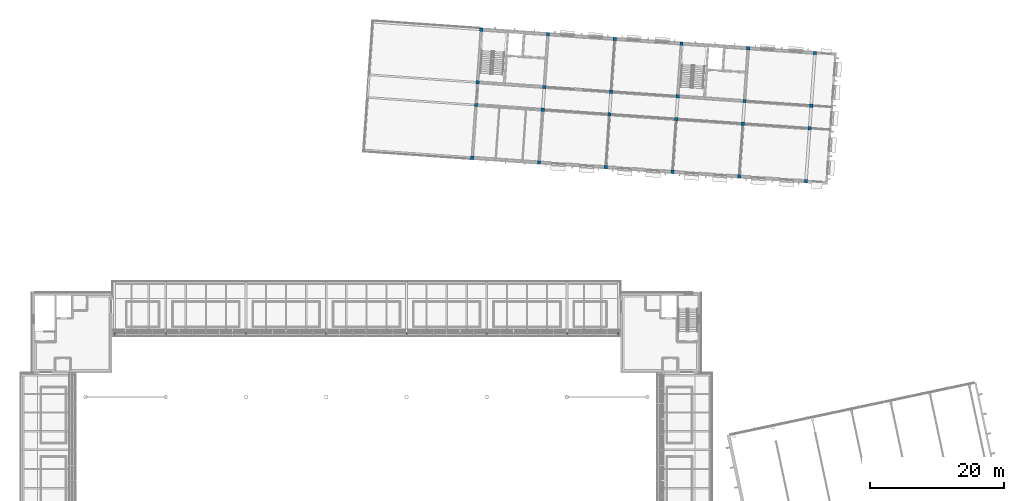
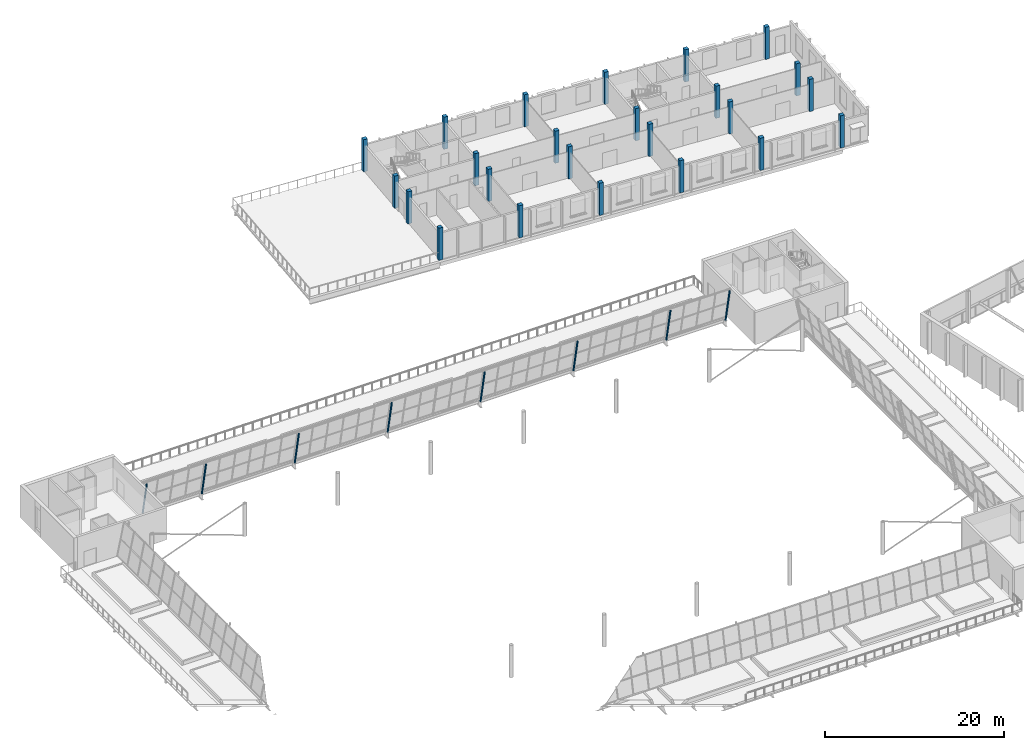
# One storey, part 8 of 58: 32 columns.
"""IFC4 building model written with IfcOpenShell, lengths in metres."""

from ifc_helpers import new_model, si_unit, direction, frame, origin, origin_2d, place, context, subcontext, project, spatial, rectangle, hollow_circle, extrude, material, material_profile, profile_set, type_object, element, save


model = new_model("IFC4")

# Units and contexts
model_context = context("Model", 3, precision=1e-05, world=origin(), true_north=direction((0.0, 1.0)))
body_context = subcontext(model_context, "Body", "Model", "MODEL_VIEW")
ifc_project = project(units=[si_unit("LENGTHUNIT", "METRE"), si_unit("AREAUNIT", "SQUARE_METRE"), si_unit("VOLUMEUNIT", "CUBIC_METRE"), si_unit("PLANEANGLEUNIT", "RADIAN"), si_unit("MASSUNIT", "GRAM", prefix="KILO")], contexts=[model_context])

# Site, building, storey
site_placement = place(None, origin())
site = spatial("IfcSite", under=ifc_project, at=site_placement, CompositionType="ELEMENT")
building_placement = place(site_placement, origin())
building = spatial("IfcBuilding", under=site, at=building_placement, Name="Windward Yard Aquatics Centre", CompositionType="ELEMENT")
storey_placement = place(building_placement, frame((0.0, 0.0, 13.800048828125)))
storey = spatial("IfcBuildingStorey", under=building, at=storey_placement, Name="L03", CompositionType="ELEMENT", Elevation=13.800048828125)

# Columns
ifc_material_1 = material(Name="Steel ASTM A500 Gr C", Category="steel")
ifc_material_profile_1 = material_profile(ifc_material_1, hollow_circle(Radius=0.109619140625, WallThickness=0.0126953125, at=origin_2d()), Name="HSS219.1X12.7")
ifc_profile_set_1 = profile_set([ifc_material_profile_1], Name="Steel ASTM A500 Gr C")
column_type_1 = type_object("IfcColumnType", Name="H tier 2 leg HSS219.1X12.7", PredefinedType="COLUMN", material=ifc_profile_set_1)
for number, where, z_axis, x_axis, name in (
    (1, (64.35009765625, 90.016357421875, -0.128173828125), (0.0, -0.199346128659, 0.9799291408), (1.0, 0.0, 0.0), "H.TL.N1.T2A.L03"),
    (2, (72.0, 90.016357421875, -0.128173828125), (0.0, -0.199346128659, 0.9799291408), (1.0, 0.0, 0.0), "H.TL.N2.T2A.L03"),
    (3, (84.0, 90.016357421875, -0.128173828125), (0.0, -0.199346128659, 0.9799291408), (1.0, 0.0, 0.0), "H.TL.N3.T2A.L03"),
    (4, (96.0, 90.016357421875, -0.128173828125), (0.0, -0.199346128659, 0.9799291408), (1.0, 0.0, 0.0), "H.TL.N4.T2A.L03"),
    (5, (108.0, 90.016357421875, -0.128173828125), (0.0, -0.199346128659, 0.9799291408), (1.0, 0.0, 0.0), "H.TL.N5.T2A.L03"),
    (6, (120.0, 90.016357421875, -0.128173828125), (0.0, -0.199346128659, 0.9799291408), (1.0, 0.0, 0.0), "H.TL.N6.T2A.L03"),
    (7, (132.0, 90.016357421875, -0.128173828125), (0.0, -0.199346128659, 0.9799291408), (1.0, 0.0, 0.0), "H.TL.N7.T2A.L03"),
    (8, (139.64990234375, 90.016357421875, -0.128173828125), (0.0, -0.199346128659, 0.9799291408), (1.0, 0.0, 0.0), "H.TL.N8.T2A.L03"),
):
    element("IfcColumn", number, at=place(storey_placement, frame(where, z_axis=z_axis, x_axis=x_axis)), inside=storey, type_object=column_type_1, Name=name, PredefinedType="COLUMN", context=body_context, shape_type="SweptSolid", body=[
        extrude(hollow_circle(Radius=0.109619140625, WallThickness=0.0126953125, at=origin_2d()), origin(), (0.0, 0.0, 1.0), 4.620849609375),
    ])
ifc_material_2 = material(Name="Concrete C50/60", Category="concrete")
ifc_material_profile_2 = material_profile(ifc_material_2, rectangle(XDim=0.5, YDim=0.5, at=origin_2d()), Name="RC 500x500")
ifc_profile_set_2 = profile_set([ifc_material_profile_2], Name="Concrete C50/60")
column_type_2 = type_object("IfcColumnType", Name="W RC 500x500 column Concrete C50/60", PredefinedType="COLUMN", material=ifc_profile_set_2)
for number, where, z_axis, x_axis, name in (
    (9, (117.8388671875, 116.16748046875, 0.0), (0.0, 0.0, 1.0), (0.99756405026, -0.069756473744, 0.0), "W.COL.L03.2A"),
    (10, (118.389892578125, 124.04833984375, 0.0), (0.0, 0.0, 1.0), (0.99756405026, -0.069756473744, 0.0), "W.COL.L03.2B"),
    (11, (118.627197265625, 127.43994140625, 0.0), (0.0, 0.0, 1.0), (0.99756405026, -0.069756473744, 0.0), "W.COL.L03.2C"),
    (12, (119.17822265625, 135.32080078125, 0.0), (0.0, 0.0, 1.0), (0.99756405026, -0.069756473744, 0.0), "W.COL.L03.2D"),
    (13, (127.814453125, 115.469970703125, 0.0), (0.0, 0.0, 1.0), (0.99756405026, -0.069756473744, 0.0), "W.COL.L03.3A"),
    (14, (128.365478515625, 123.3505859375, 0.0), (0.0, 0.0, 1.0), (0.99756405026, -0.069756473744, 0.0), "W.COL.L03.3B"),
    (15, (128.602783203125, 126.742431640625, 0.0), (0.0, 0.0, 1.0), (0.99756405026, -0.069756473744, 0.0), "W.COL.L03.3C"),
    (16, (129.15380859375, 134.623291015625, 0.0), (0.0, 0.0, 1.0), (0.99756405026, -0.069756473744, 0.0), "W.COL.L03.3D"),
    (17, (137.7900390625, 114.7724609375, 0.0), (0.0, 0.0, 1.0), (0.99756405026, -0.069756473744, 0.0), "W.COL.L03.4A"),
    (18, (138.34130859375, 122.6533203125, 0.0), (0.0, 0.0, 1.0), (0.99756405026, -0.069756473744, 0.0), "W.COL.L03.4B"),
    (19, (138.578369140625, 126.044921875, 0.0), (0.0, 0.0, 1.0), (0.99756405026, -0.069756473744, 0.0), "W.COL.L03.4C"),
    (20, (139.12939453125, 133.925537109375, 0.0), (0.0, 0.0, 1.0), (0.99756405026, -0.069756473744, 0.0), "W.COL.L03.4D"),
    (21, (147.765869140625, 114.07470703125, 0.0), (0.0, 0.0, 1.0), (0.99756405026, -0.069756473744, 0.0), "W.COL.L03.5A"),
    (22, (148.31689453125, 121.95556640625, 0.0), (0.0, 0.0, 1.0), (0.99756405026, -0.069756473744, 0.0), "W.COL.L03.5B"),
    (23, (148.553955078125, 125.347412109375, 0.0), (0.0, 0.0, 1.0), (0.99756405026, -0.069756473744, 0.0), "W.COL.L03.5C"),
    (24, (149.10498046875, 133.22802734375, 0.0), (0.0, 0.0, 1.0), (0.99756405026, -0.069756473744, 0.0), "W.COL.L03.5D"),
    (25, (157.741455078125, 113.377197265625, 0.0), (0.0, 0.0, 1.0), (0.99756405026, -0.069756473744, 0.0), "W.COL.L03.6A"),
    (26, (158.29248046875, 121.258056640625, 0.0), (0.0, 0.0, 1.0), (0.99756405026, -0.069756473744, 0.0), "W.COL.L03.6B"),
    (27, (158.52978515625, 124.649658203125, 0.0), (0.0, 0.0, 1.0), (0.99756405026, -0.069756473744, 0.0), "W.COL.L03.6C"),
    (28, (159.080810546875, 132.530517578125, 0.0), (0.0, 0.0, 1.0), (0.99756405026, -0.069756473744, 0.0), "W.COL.L03.6D"),
    (29, (167.717041015625, 112.6796875, 0.0), (0.0, 0.0, 1.0), (0.99756405026, -0.069756473744, 0.0), "W.COL.L03.7A"),
    (30, (168.26806640625, 120.560546875, 0.0), (0.0, 0.0, 1.0), (0.99756405026, -0.069756473744, 0.0), "W.COL.L03.7B"),
    (31, (168.50537109375, 123.9521484375, 0.0), (0.0, 0.0, 1.0), (0.99756405026, -0.069756473744, 0.0), "W.COL.L03.7C"),
    (32, (169.056396484375, 131.8330078125, 0.0), (0.0, 0.0, 1.0), (0.99756405026, -0.069756473744, 0.0), "W.COL.L03.7D"),
):
    element("IfcColumn", number, at=place(storey_placement, frame(where, z_axis=z_axis, x_axis=x_axis)), inside=storey, type_object=column_type_2, Name=name, PredefinedType="COLUMN", context=body_context, shape_type="SweptSolid", body=[
        extrude(rectangle(XDim=0.5, YDim=0.5, at=origin_2d()), origin(), (0.0, 0.0, 1.0), 4.39990234375),
    ])

save(model, "model.ifc")
